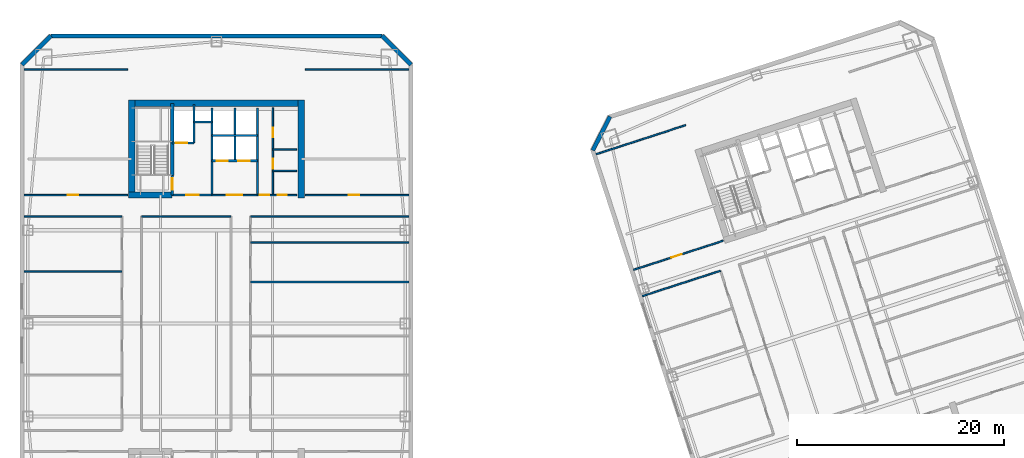
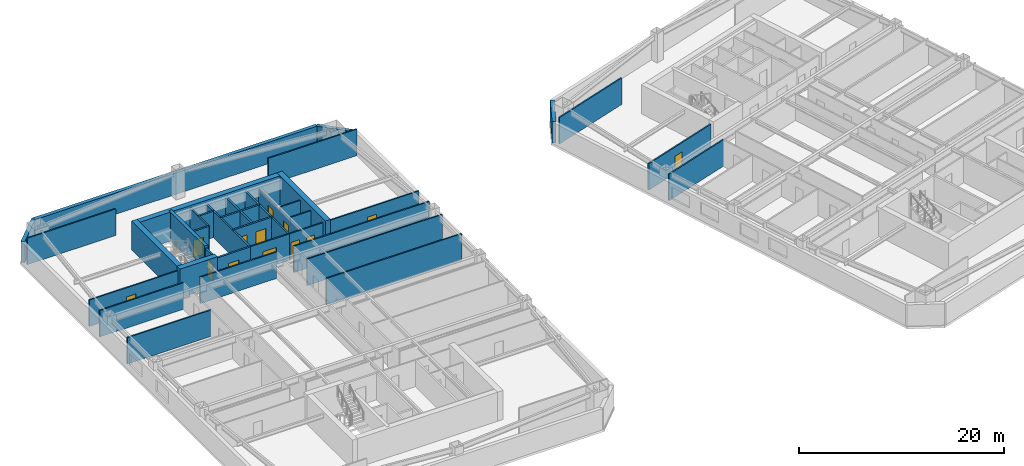
# One storey, part 5 of 11: 37 walls, 13 doors, 13 openings.
"""IFC4 building model written with IfcOpenShell, lengths in metres."""

from ifc_helpers import new_model, si_unit, direction, frame, frame_2d, origin, place, context, subcontext, project, spatial, rectangle, extrude, material, layer, layer_set, type_object, element, fill, save


model = new_model("IFC4")

# Units and contexts
model_context = context("Model", 3, precision=1e-05, world=origin(), true_north=direction((0.0, 1.0)))
body_context = subcontext(model_context, "Body", "Model", "MODEL_VIEW")
ifc_project = project(units=[si_unit("LENGTHUNIT", "METRE"), si_unit("AREAUNIT", "SQUARE_METRE"), si_unit("VOLUMEUNIT", "CUBIC_METRE"), si_unit("PLANEANGLEUNIT", "RADIAN"), si_unit("MASSUNIT", "GRAM", prefix="KILO")], contexts=[model_context])

# Site, building, storey
site_placement = place(None, origin())
site = spatial("IfcSite", under=ifc_project, at=site_placement, CompositionType="ELEMENT")
building_placement = place(site_placement, origin())
building = spatial("IfcBuilding", under=site, at=building_placement, Name="Qiaolan Cultural Towers", CompositionType="ELEMENT")
storey_placement = place(building_placement, frame((0.0, 0.0, 96.60009765625)))
storey = spatial("IfcBuildingStorey", under=building, at=storey_placement, Name="L24", CompositionType="ELEMENT", Elevation=96.60009765625)

# Walls
ifc_material_1 = material(Name="Concrete C50", Category="concrete")
ifc_layer_1 = layer(ifc_material_1, 0.35009765625)
ifc_layer_set_1 = layer_set([ifc_layer_1], Name="Concrete C50")
wall_type_1 = type_object("IfcWallType", Name="WL-CORE-350", PredefinedType="SHEAR", material=ifc_layer_set_1)
wall_1_placement = place(storey_placement, frame((25.719970703125, 48.300048828125, 0.0), z_axis=(0.0, 0.0, 1.0), x_axis=(0.0, 1.0, 0.0)))
element("IfcWall", 1, at=wall_1_placement, inside=storey, type_object=wall_type_1, Name="L24 T1-CN Stair Core Dividing Web", PredefinedType="SHEAR", context=body_context, shape_type="SweptSolid", body=[
    extrude(rectangle(XDim=6.97998046875, YDim=0.35009765625, at=frame_2d((3.489990234375, 0.0))), origin(), (0.0, 0.0, 1.0), 3.449951171875),
])
ifc_material_2 = material(Name="Concrete C55", Category="concrete")
ifc_layer_2 = layer(ifc_material_2, 0.60009765625)
ifc_layer_set_2 = layer_set([ifc_layer_2], Name="Concrete C55")
wall_type_2 = type_object("IfcWallType", Name="WL-CORE-600", PredefinedType="SHEAR", material=ifc_layer_set_2)
wall_2_placement = place(storey_placement, frame((21.5, 55.280029296875, 0.0), z_axis=(0.0, 0.0, 1.0), x_axis=(1.0, 0.0, 0.0)))
element("IfcWall", 2, at=wall_2_placement, inside=storey, type_object=wall_type_2, Name="L24 T1-CN Outer Core Shear Wall", PredefinedType="SHEAR", context=body_context, shape_type="SweptSolid", body=[
    extrude(rectangle(XDim=17.0, YDim=0.60009765625, at=frame_2d((8.5, 0.0))), origin(), (0.0, 0.0, 1.0), 3.449951171875),
])
for number, where, z_axis, x_axis, name in (
    (3, (21.800048828125, 46.10009765625, 0.0), (0.0, 0.0, 1.0), (0.0, 1.0, 0.0), "L24 T1-CN West Core Shear Wall"),
    (4, (38.199951171875, 46.10009765625, 0.0), (0.0, 0.0, 1.0), (0.0, 1.0, 0.0), "L24 T1-CN East Core Shear Wall"),
):
    element("IfcWall", number, at=place(storey_placement, frame(where, z_axis=z_axis, x_axis=x_axis)), inside=storey, type_object=wall_type_2, Name=name, PredefinedType="SHEAR", context=body_context, shape_type="SweptSolid", body=[
        extrude(rectangle(XDim=9.47998046875, YDim=0.60009765625, at=frame_2d((4.739990234375, 0.0))), origin(), (0.0, 0.0, 1.0), 3.449951171875),
    ])
wall_3_placement = place(storey_placement, frame((21.5, 46.39990234375, 0.0), z_axis=(0.0, 0.0, 1.0), x_axis=(1.0, 0.0, 0.0)))
element("IfcWall", 5, at=wall_3_placement, inside=storey, type_object=wall_type_2, Name="L24 T1-CN Stair Front Shear Wall", PredefinedType="SHEAR", context=body_context, shape_type="SweptSolid", body=[
    extrude(rectangle(XDim=4.219970703125, YDim=0.60009765625, at=frame_2d((2.10986328125, 0.0))), origin(), (0.0, 0.0, 1.0), 3.449951171875),
])
ifc_material_3 = material(Name="Precast Concrete C50 Honed Stone Pier", Category="masonry")
ifc_layer_3 = layer(ifc_material_3, 0.39990234375)
ifc_layer_set_3 = layer_set([ifc_layer_3], Name="Precast Concrete C50 Honed Stone Pier")
wall_type_3 = type_object("IfcWallType", Name="WL-EXT-PIER-400", PredefinedType="SOLIDWALL", material=ifc_layer_set_3)
wall_4_placement = place(storey_placement, frame((11.199951171875, 59.0, 0.0), z_axis=(0.0, 0.0, 1.0), x_axis=(0.707106781187, 0.707106781187, 0.0)))
element("IfcWall", 6, at=wall_4_placement, inside=storey, type_object=wall_type_3, Name="L24 West Tower Precast Pier Facade Wall F2", PredefinedType="SOLIDWALL", context=body_context, shape_type="SweptSolid", body=[
    extrude(rectangle(XDim=3.9599609375, YDim=0.39990234375, at=frame_2d((1.97998046875, 0.0))), origin(), (0.0, 0.0, 1.0), 2.5498046875),
])
wall_5_placement = place(storey_placement, frame((14.0, 61.800048828125, 0.0), z_axis=(0.0, 0.0, 1.0), x_axis=(1.0, 0.0, 0.0)))
element("IfcWall", 7, at=wall_5_placement, inside=storey, type_object=wall_type_3, Name="L24 West Tower Precast Pier Facade Wall F3", PredefinedType="SOLIDWALL", context=body_context, shape_type="SweptSolid", body=[
    extrude(rectangle(XDim=32.0, YDim=0.39990234375, at=frame_2d((16.0, 0.0))), origin(), (0.0, 0.0, 1.0), 2.5498046875),
])
wall_6_placement = place(storey_placement, frame((46.0, 61.800048828125, 0.0), z_axis=(0.0, 0.0, 1.0), x_axis=(0.707106781187, -0.707106781187, 0.0)))
element("IfcWall", 8, at=wall_6_placement, inside=storey, type_object=wall_type_3, Name="L24 West Tower Precast Pier Facade Wall F4", PredefinedType="SOLIDWALL", context=body_context, shape_type="SweptSolid", body=[
    extrude(rectangle(XDim=3.9599609375, YDim=0.39990234375, at=frame_2d((1.97998046875, 0.0))), origin(), (0.0, 0.0, 1.0), 2.5498046875),
])
wall_7_placement = place(storey_placement, frame((66.37744140625, 50.718505859375, 0.0), z_axis=(0.0, 0.0, 1.0), x_axis=(0.454026238093, 0.890988313685, 0.0)))
element("IfcWall", 9, at=wall_7_placement, inside=storey, type_object=wall_type_3, Name="L24 East Tower Precast Pier Facade Wall F2", PredefinedType="SOLIDWALL", context=body_context, shape_type="SweptSolid", body=[
    extrude(rectangle(XDim=3.677001953125, YDim=0.39990234375, at=frame_2d((1.83837890625, 0.0))), origin(), (0.0, 0.0, 1.0), 2.5498046875),
])

# Wall, opening, door
ifc_material_4 = material(Name="Concrete C35 Fire Wall", Category="concrete")
ifc_layer_4 = layer(ifc_material_4, 0.199951171875)
ifc_layer_set_4 = layer_set([ifc_layer_4], Name="Concrete C35 Fire Wall")
wall_type_4 = type_object("IfcWallType", Name="WL-FIRE-200", PredefinedType="PARTITIONING", material=ifc_layer_set_4)
wall_8_placement = place(storey_placement, frame((25.719970703125, 46.39990234375, 0.0), z_axis=(0.0, 0.0, 1.0), x_axis=(0.0, 1.0, 0.0)))
wall_8 = element("IfcWall", 10, at=wall_8_placement, inside=storey, type_object=wall_type_4, Name="L24 T1-CN Smokeproof Stair Entry Wall", PredefinedType="PARTITIONING", context=body_context, shape_type="SweptSolid", body=[
    extrude(rectangle(XDim=1.900146484375, YDim=0.199951171875, at=frame_2d((0.9501953125, 0.0))), origin(), (0.0, 0.0, 1.0), 3.15478515625),
])
opening_1_placement = place(wall_8_placement, frame((0.52001953125, 0.0, 0.0)))
opening_1 = element("IfcOpeningElement", 11, at=opening_1_placement, cuts=wall_8, Name="Opening FD-04", PredefinedType="OPENING", context=body_context, shape_type="SweptSolid", body=[
    extrude(rectangle(XDim=1.10009765625, YDim=2.050048828125, at=frame_2d((0.550048828125, 1.02490234375))), frame((0.0, 0.10986328125, 0.0), z_axis=(0.0, -1.0, 0.0), x_axis=(1.0, 0.0, 0.0)), (0.0, 0.0, 1.0), 0.219970703125),
])
ifc_material_5 = material(Name="Galvanized Steel Command Fire Door", Category="steel")
door_type_1 = type_object("IfcDoorType", Name="DR-FD90-1100", OperationType="NOTDEFINED", PredefinedType="DOOR", material=ifc_material_5)
door_1_placement = place(opening_1_placement, origin())
door_1 = element("IfcDoor", 12, at=door_1_placement, inside=storey, type_object=door_type_1, Name="L24 ST-W2 Smokeproof Stair Fire Door", OperationType="SINGLE_SWING_LEFT", OverallHeight=2.050048828125, OverallWidth=1.10009765625, PredefinedType="DOOR", context=body_context, shape_type="SweptSolid", body=[
    extrude(rectangle(XDim=1.10009765625, YDim=2.050048828125, at=frame_2d((0.550048828125, 1.02490234375))), frame((0.0, 0.02490234375, 0.0), z_axis=(0.0, -1.0, 0.0), x_axis=(1.0, 0.0, 0.0)), (0.0, 0.0, 1.0), 0.050048828125),
])
fill(opening_1, door_1)

# Wall
wall_9_placement = place(storey_placement, frame((29.550048828125, 46.39990234375, 0.0), z_axis=(0.0, 0.0, 1.0), x_axis=(0.0, 1.0, 0.0)))
element("IfcWall", 13, at=wall_9_placement, inside=storey, type_object=wall_type_4, Name="L24 T1-CN Firefighting Zone Wall", PredefinedType="PARTITIONING", context=body_context, shape_type="SweptSolid", body=[
    extrude(rectangle(XDim=8.43017578125, YDim=0.199951171875, at=frame_2d((4.215087890625, 0.0))), origin(), (0.0, 0.0, 1.0), 3.15478515625),
])

# Wall, opening, door
wall_10_placement = place(storey_placement, frame((25.719970703125, 46.39990234375, 0.0), z_axis=(0.0, 0.0, 1.0), x_axis=(1.0, 0.0, 0.0)))
wall_10 = element("IfcWall", 14, at=wall_10_placement, inside=storey, type_object=wall_type_4, Name="L24 T1-CN Firefighting Lobby Front Wall", PredefinedType="PARTITIONING", context=body_context, shape_type="SweptSolid", body=[
    extrude(rectangle(XDim=3.830078125, YDim=0.199951171875, at=frame_2d((1.9150390625, 0.0))), origin(), (0.0, 0.0, 1.0), 3.15478515625),
])
opening_2_placement = place(wall_10_placement, frame((1.35009765625, 0.0, 0.0)))
opening_2 = element("IfcOpeningElement", 15, at=opening_2_placement, cuts=wall_10, Name="Opening FD-03", PredefinedType="OPENING", context=body_context, shape_type="SweptSolid", body=[
    extrude(rectangle(XDim=1.199951171875, YDim=2.050048828125, at=frame_2d((0.60009765625, 1.02490234375))), frame((0.0, 0.10986328125, 0.0), z_axis=(0.0, -1.0, 0.0), x_axis=(1.0, 0.0, 0.0)), (0.0, 0.0, 1.0), 0.219970703125),
])
ifc_material_6 = material(Name="Galvanized Steel Smokeproof Lobby Fire Door", Category="steel")
door_type_2 = type_object("IfcDoorType", Name="DR-FD90-1200", OperationType="NOTDEFINED", PredefinedType="DOOR", material=ifc_material_6)
door_2_placement = place(opening_2_placement, origin())
door_2 = element("IfcDoor", 16, at=door_2_placement, inside=storey, type_object=door_type_2, Name="L24 FFL-W2 Firefighting Lobby Fire Door", OperationType="SINGLE_SWING_LEFT", OverallHeight=2.050048828125, OverallWidth=1.199951171875, PredefinedType="DOOR", context=body_context, shape_type="SweptSolid", body=[
    extrude(rectangle(XDim=1.199951171875, YDim=2.050048828125, at=frame_2d((0.60009765625, 1.02490234375))), frame((0.0, 0.02490234375, 0.0), z_axis=(0.0, -1.0, 0.0), x_axis=(1.0, 0.0, 0.0)), (0.0, 0.0, 1.0), 0.050048828125),
])
fill(opening_2, door_2)

wall_11_placement = place(storey_placement, frame((25.719970703125, 51.449951171875, 0.0), z_axis=(0.0, 0.0, 1.0), x_axis=(1.0, 0.0, 0.0)))
wall_11 = element("IfcWall", 17, at=wall_11_placement, inside=storey, type_object=wall_type_4, Name="L24 T1-CN Firefighting Shaft Front Wall", PredefinedType="PARTITIONING", context=body_context, shape_type="SweptSolid", body=[
    extrude(rectangle(XDim=2.10009765625, YDim=0.199951171875, at=frame_2d((1.050048828125, 0.0))), origin(), (0.0, 0.0, 1.0), 3.15478515625),
])
opening_3_placement = place(wall_11_placement, frame((0.35009765625, 0.0, 0.0)))
opening_3 = element("IfcOpeningElement", 18, at=opening_3_placement, cuts=wall_11, Name="Opening LD-01", PredefinedType="OPENING", context=body_context, shape_type="SweptSolid", body=[
    extrude(rectangle(XDim=1.10009765625, YDim=2.050048828125, at=frame_2d((0.550048828125, 1.02490234375))), frame((0.0, 0.10986328125, 0.0), z_axis=(0.0, -1.0, 0.0), x_axis=(1.0, 0.0, 0.0)), (0.0, 0.0, 1.0), 0.219970703125),
])
ifc_material_7 = material(Name="Brushed Stainless Steel S30408 Centre-Parting Lift Landing Door", Category="steel")
door_type_3 = type_object("IfcDoorType", Name="DR-LIFT-1100", OperationType="NOTDEFINED", PredefinedType="DOOR", material=ifc_material_7)
door_3_placement = place(opening_3_placement, origin())
door_3 = element("IfcDoor", 19, at=door_3_placement, inside=storey, type_object=door_type_3, Name="L24 FFL-W2 Firefighting Lift Landing Door", OperationType="DOUBLE_DOOR_SLIDING", OverallHeight=2.050048828125, OverallWidth=1.10009765625, PredefinedType="DOOR", context=body_context, shape_type="SweptSolid", body=[
    extrude(rectangle(XDim=1.10009765625, YDim=2.050048828125, at=frame_2d((0.550048828125, 1.02490234375))), frame((0.0, 0.02490234375, 0.0), z_axis=(0.0, -1.0, 0.0), x_axis=(1.0, 0.0, 0.0)), (0.0, 0.0, 1.0), 0.050048828125),
])
fill(opening_3, door_3)

# Walls
wall_12_placement = place(storey_placement, frame((27.820068359375, 51.449951171875, 0.0), z_axis=(0.0, 0.0, 1.0), x_axis=(0.0, 1.0, 0.0)))
element("IfcWall", 20, at=wall_12_placement, inside=storey, type_object=wall_type_4, Name="L24 T1-CN Firefighting Hoistway East Wall", PredefinedType="PARTITIONING", context=body_context, shape_type="SweptSolid", body=[
    extrude(rectangle(XDim=3.699951171875, YDim=0.199951171875, at=frame_2d((1.85009765625, 0.0))), origin(), (0.0, 0.0, 1.0), 3.15478515625),
])
wall_13_placement = place(storey_placement, frame((27.820068359375, 53.47998046875, 0.0), z_axis=(0.0, 0.0, 1.0), x_axis=(1.0, 0.0, 0.0)))
element("IfcWall", 21, at=wall_13_placement, inside=storey, type_object=wall_type_4, Name="L24 T1-CN Pressurization Shaft Front Wall", PredefinedType="PARTITIONING", context=body_context, shape_type="SweptSolid", body=[
    extrude(rectangle(XDim=1.72998046875, YDim=0.199951171875, at=frame_2d((0.864990234375, 0.0))), origin(), (0.0, 0.0, 1.0), 3.15478515625),
])
wall_14_placement = place(storey_placement, frame((33.949951171875, 46.39990234375, 0.0), z_axis=(0.0, 0.0, 1.0), x_axis=(0.0, 1.0, 0.0)))
element("IfcWall", 22, at=wall_14_placement, inside=storey, type_object=wall_type_4, Name="L24 T1-CN Lift Core East Wall", PredefinedType="PARTITIONING", context=body_context, shape_type="SweptSolid", body=[
    extrude(rectangle(XDim=8.43017578125, YDim=0.199951171875, at=frame_2d((4.215087890625, 0.0))), origin(), (0.0, 0.0, 1.0), 3.15478515625),
])

# Wall, openings, doors
wall_15_placement = place(storey_placement, frame((29.550048828125, 49.719970703125, 0.0), z_axis=(0.0, 0.0, 1.0), x_axis=(1.0, 0.0, 0.0)))
wall_15 = element("IfcWall", 23, at=wall_15_placement, inside=storey, type_object=wall_type_4, Name="L24 T1-CN Passenger Lift Shaft Front Wall", PredefinedType="PARTITIONING", context=body_context, shape_type="SweptSolid", body=[
    extrude(rectangle(XDim=4.39990234375, YDim=0.199951171875, at=frame_2d((2.199951171875, 0.0))), origin(), (0.0, 0.0, 1.0), 3.15478515625),
])
opening_4_placement = place(wall_15_placement, frame((0.449951171875, 0.0, 0.0)))
opening_4 = element("IfcOpeningElement", 24, at=opening_4_placement, cuts=wall_15, Name="Opening LD-01", PredefinedType="OPENING", context=body_context, shape_type="SweptSolid", body=[
    extrude(rectangle(XDim=1.10009765625, YDim=2.050048828125, at=frame_2d((0.550048828125, 1.02490234375))), frame((0.0, 0.10986328125, 0.0), z_axis=(0.0, -1.0, 0.0), x_axis=(1.0, 0.0, 0.0)), (0.0, 0.0, 1.0), 0.219970703125),
])
opening_5_placement = place(wall_15_placement, frame((2.550048828125, 0.0, 0.0)))
opening_5 = element("IfcOpeningElement", 25, at=opening_5_placement, cuts=wall_15, Name="Opening LD-01", PredefinedType="OPENING", context=body_context, shape_type="SweptSolid", body=[
    extrude(rectangle(XDim=1.10009765625, YDim=2.050048828125, at=frame_2d((0.550048828125, 1.02490234375))), frame((0.0, 0.10986328125, 0.0), z_axis=(0.0, -1.0, 0.0), x_axis=(1.0, 0.0, 0.0)), (0.0, 0.0, 1.0), 0.219970703125),
])
door_4_placement = place(opening_4_placement, origin())
door_4 = element("IfcDoor", 26, at=door_4_placement, inside=storey, type_object=door_type_3, Name="L24 Passenger Lift 1 Landing Door", OperationType="DOUBLE_DOOR_SLIDING", OverallHeight=2.050048828125, OverallWidth=1.10009765625, PredefinedType="DOOR", context=body_context, shape_type="SweptSolid", body=[
    extrude(rectangle(XDim=1.10009765625, YDim=2.050048828125, at=frame_2d((0.550048828125, 1.02490234375))), frame((0.0, 0.02490234375, 0.0), z_axis=(0.0, -1.0, 0.0), x_axis=(1.0, 0.0, 0.0)), (0.0, 0.0, 1.0), 0.050048828125),
])
fill(opening_4, door_4)
door_5_placement = place(opening_5_placement, origin())
door_5 = element("IfcDoor", 27, at=door_5_placement, inside=storey, type_object=door_type_3, Name="L24 Passenger Lift 2 Landing Door", OperationType="DOUBLE_DOOR_SLIDING", OverallHeight=2.050048828125, OverallWidth=1.10009765625, PredefinedType="DOOR", context=body_context, shape_type="SweptSolid", body=[
    extrude(rectangle(XDim=1.10009765625, YDim=2.050048828125, at=frame_2d((0.550048828125, 1.02490234375))), frame((0.0, 0.02490234375, 0.0), z_axis=(0.0, -1.0, 0.0), x_axis=(1.0, 0.0, 0.0)), (0.0, 0.0, 1.0), 0.050048828125),
])
fill(opening_5, door_5)

# Walls
wall_16_placement = place(storey_placement, frame((31.780029296875, 49.719970703125, 0.0), z_axis=(0.0, 0.0, 1.0), x_axis=(0.0, 1.0, 0.0)))
element("IfcWall", 28, at=wall_16_placement, inside=storey, type_object=wall_type_4, Name="L24 T1-CN Lift Shaft Divider Wall", PredefinedType="PARTITIONING", context=body_context, shape_type="SweptSolid", body=[
    extrude(rectangle(XDim=5.110107421875, YDim=0.199951171875, at=frame_2d((2.55517578125, 0.0))), origin(), (0.0, 0.0, 1.0), 3.15478515625),
])
wall_17_placement = place(storey_placement, frame((29.550048828125, 52.14990234375, 0.0), z_axis=(0.0, 0.0, 1.0), x_axis=(1.0, 0.0, 0.0)))
element("IfcWall", 29, at=wall_17_placement, inside=storey, type_object=wall_type_4, Name="L24 T1-CN Passenger Lift Shaft Back Wall", PredefinedType="PARTITIONING", context=body_context, shape_type="SweptSolid", body=[
    extrude(rectangle(XDim=4.39990234375, YDim=0.199951171875, at=frame_2d((2.199951171875, 0.0))), origin(), (0.0, 0.0, 1.0), 3.15478515625),
])

# Wall, opening, door
ifc_material_8 = material(Name="Autoclaved Aerated Concrete Block B06", Category="concrete")
ifc_layer_5 = layer(ifc_material_8, 0.14990234375)
ifc_layer_set_5 = layer_set([ifc_layer_5], Name="Autoclaved Aerated Concrete Block B06")
wall_type_5 = type_object("IfcWallType", Name="WL-PART-150", PredefinedType="PARTITIONING", material=ifc_layer_set_5)
wall_18_placement = place(storey_placement, frame((29.550048828125, 46.39990234375, 0.0), z_axis=(0.0, 0.0, 1.0), x_axis=(1.0, 0.0, 0.0)))
wall_18 = element("IfcWall", 30, at=wall_18_placement, inside=storey, type_object=wall_type_5, Name="L24 T1-CN Passenger Lift Lobby Front Wall", PredefinedType="PARTITIONING", context=body_context, shape_type="SweptSolid", body=[
    extrude(rectangle(XDim=4.39990234375, YDim=0.14990234375, at=frame_2d((2.199951171875, 0.0))), origin(), (0.0, 0.0, 1.0), 3.15478515625),
])
opening_6_placement = place(wall_18_placement, frame((1.449951171875, 0.0, 0.0)))
opening_6 = element("IfcOpeningElement", 31, at=opening_6_placement, cuts=wall_18, Name="Opening FD-05", PredefinedType="OPENING", context=body_context, shape_type="SweptSolid", body=[
    extrude(rectangle(XDim=1.5, YDim=2.050048828125, at=frame_2d((0.75, 1.02490234375))), frame((0.0, 0.0849609375, 0.0), z_axis=(0.0, -1.0, 0.0), x_axis=(1.0, 0.0, 0.0)), (0.0, 0.0, 1.0), 0.169921875),
])
ifc_material_9 = material(Name="Painted Steel Lift Lobby Fire Door", Category="steel")
door_type_4 = type_object("IfcDoorType", Name="DR-FD60-1500", OperationType="NOTDEFINED", PredefinedType="DOOR", material=ifc_material_9)
door_6_placement = place(opening_6_placement, origin())
door_6 = element("IfcDoor", 32, at=door_6_placement, inside=storey, type_object=door_type_4, Name="L24 Passenger Lift Lobby Entrance", OperationType="SINGLE_SWING_LEFT", OverallHeight=2.050048828125, OverallWidth=1.5, PredefinedType="DOOR", context=body_context, shape_type="SweptSolid", body=[
    extrude(rectangle(XDim=1.5, YDim=2.050048828125, at=frame_2d((0.75, 1.02490234375))), frame((0.0, 0.02490234375, 0.0), z_axis=(0.0, -1.0, 0.0), x_axis=(1.0, 0.0, 0.0)), (0.0, 0.0, 1.0), 0.050048828125),
])
fill(opening_6, door_6)

# Wall, openings, doors
wall_19_placement = place(storey_placement, frame((33.949951171875, 46.39990234375, 0.0), z_axis=(0.0, 0.0, 1.0), x_axis=(1.0, 0.0, 0.0)))
wall_19 = element("IfcWall", 33, at=wall_19_placement, inside=storey, type_object=wall_type_5, Name="L24 T1-CN Sanitary Core Front Wall", PredefinedType="PARTITIONING", context=body_context, shape_type="SweptSolid", body=[
    extrude(rectangle(XDim=3.800048828125, YDim=0.14990234375, at=frame_2d((1.89990234375, 0.0))), origin(), (0.0, 0.0, 1.0), 3.15478515625),
])
opening_7_placement = place(wall_19_placement, frame((0.219970703125, 0.0, 0.0)))
opening_7 = element("IfcOpeningElement", 34, at=opening_7_placement, cuts=wall_19, Name="Opening ID-05", PredefinedType="OPENING", context=body_context, shape_type="SweptSolid", body=[
    extrude(rectangle(XDim=0.949951171875, YDim=2.050048828125, at=frame_2d((0.47509765625, 1.02490234375))), frame((0.0, 0.0849609375, 0.0), z_axis=(0.0, -1.0, 0.0), x_axis=(1.0, 0.0, 0.0)), (0.0, 0.0, 1.0), 0.169921875),
])
opening_8_placement = place(wall_19_placement, frame((1.949951171875, 0.0, 0.0)))
opening_8 = element("IfcOpeningElement", 35, at=opening_8_placement, cuts=wall_19, Name="Opening ID-06", PredefinedType="OPENING", context=body_context, shape_type="SweptSolid", body=[
    extrude(rectangle(XDim=0.89990234375, YDim=2.050048828125, at=frame_2d((0.449951171875, 1.02490234375))), frame((0.0, 0.0849609375, 0.0), z_axis=(0.0, -1.0, 0.0), x_axis=(1.0, 0.0, 0.0)), (0.0, 0.0, 1.0), 0.169921875),
])
ifc_material_10 = material(Name="Fire-Rated Laminate Core Service Door", Category="timber")
door_type_5 = type_object("IfcDoorType", Name="DR-INT-900", OperationType="NOTDEFINED", PredefinedType="DOOR", material=ifc_material_10)
door_7_placement = place(opening_8_placement, origin())
door_7 = element("IfcDoor", 36, at=door_7_placement, inside=storey, type_object=door_type_5, Name="L24 Core Tea Pantry Door", OperationType="SINGLE_SWING_RIGHT", OverallHeight=2.050048828125, OverallWidth=0.89990234375, PredefinedType="DOOR", context=body_context, shape_type="SweptSolid", body=[
    extrude(rectangle(XDim=0.89990234375, YDim=2.050048828125, at=frame_2d((0.449951171875, 1.02490234375))), frame((0.0, 0.02490234375, 0.0), z_axis=(0.0, -1.0, 0.0), x_axis=(1.0, 0.0, 0.0)), (0.0, 0.0, 1.0), 0.050048828125),
])
fill(opening_8, door_7)
ifc_material_11 = material(Name="Fire-Rated Laminate Accessible Core Door", Category="timber")
door_type_6 = type_object("IfcDoorType", Name="DR-INT-950", OperationType="NOTDEFINED", PredefinedType="DOOR", material=ifc_material_11)
door_8_placement = place(opening_7_placement, origin())
door_8 = element("IfcDoor", 37, at=door_8_placement, inside=storey, type_object=door_type_6, Name="L24 Sanitary Passage Door", OperationType="SINGLE_SWING_LEFT", OverallHeight=2.050048828125, OverallWidth=0.949951171875, PredefinedType="DOOR", context=body_context, shape_type="SweptSolid", body=[
    extrude(rectangle(XDim=0.949951171875, YDim=2.050048828125, at=frame_2d((0.47509765625, 1.02490234375))), frame((0.0, 0.02490234375, 0.0), z_axis=(0.0, -1.0, 0.0), x_axis=(1.0, 0.0, 0.0)), (0.0, 0.0, 1.0), 0.050048828125),
])
fill(opening_7, door_8)

wall_20_placement = place(storey_placement, frame((35.449951171875, 46.39990234375, 0.0), z_axis=(0.0, 0.0, 1.0), x_axis=(0.0, 1.0, 0.0)))
wall_20 = element("IfcWall", 38, at=wall_20_placement, inside=storey, type_object=wall_type_5, Name="L24 T1-CN Sanitary Corridor Wall", PredefinedType="PARTITIONING", context=body_context, shape_type="SweptSolid", body=[
    extrude(rectangle(XDim=8.43017578125, YDim=0.14990234375, at=frame_2d((4.215087890625, 0.0))), origin(), (0.0, 0.0, 1.0), 2.764892578125),
])
opening_9_placement = place(wall_20_placement, frame((2.550048828125, 0.0, 0.0)))
opening_9 = element("IfcOpeningElement", 39, at=opening_9_placement, cuts=wall_20, Name="Opening ID-05", PredefinedType="OPENING", context=body_context, shape_type="SweptSolid", body=[
    extrude(rectangle(XDim=0.949951171875, YDim=2.050048828125, at=frame_2d((0.47509765625, 1.02490234375))), frame((0.0, 0.0849609375, 0.0), z_axis=(0.0, -1.0, 0.0), x_axis=(1.0, 0.0, 0.0)), (0.0, 0.0, 1.0), 0.169921875),
])
opening_10_placement = place(wall_20_placement, frame((5.60009765625, 0.0, 0.0)))
opening_10 = element("IfcOpeningElement", 40, at=opening_10_placement, cuts=wall_20, Name="Opening ID-06", PredefinedType="OPENING", context=body_context, shape_type="SweptSolid", body=[
    extrude(rectangle(XDim=0.89990234375, YDim=2.050048828125, at=frame_2d((0.449951171875, 1.02490234375))), frame((0.0, 0.0849609375, 0.0), z_axis=(0.0, -1.0, 0.0), x_axis=(1.0, 0.0, 0.0)), (0.0, 0.0, 1.0), 0.169921875),
])
door_9_placement = place(opening_10_placement, origin())
door_9 = element("IfcDoor", 41, at=door_9_placement, inside=storey, type_object=door_type_5, Name="L24 Staff Restroom Door", OperationType="SINGLE_SWING_RIGHT", OverallHeight=2.050048828125, OverallWidth=0.89990234375, PredefinedType="DOOR", context=body_context, shape_type="SweptSolid", body=[
    extrude(rectangle(XDim=0.89990234375, YDim=2.050048828125, at=frame_2d((0.449951171875, 1.02490234375))), frame((0.0, 0.02490234375, 0.0), z_axis=(0.0, -1.0, 0.0), x_axis=(1.0, 0.0, 0.0)), (0.0, 0.0, 1.0), 0.050048828125),
])
fill(opening_10, door_9)
door_10_placement = place(opening_9_placement, origin())
door_10 = element("IfcDoor", 42, at=door_10_placement, inside=storey, type_object=door_type_6, Name="L24 Accessible Washroom Door", OperationType="SINGLE_SWING_LEFT", OverallHeight=2.050048828125, OverallWidth=0.949951171875, PredefinedType="DOOR", context=body_context, shape_type="SweptSolid", body=[
    extrude(rectangle(XDim=0.949951171875, YDim=2.050048828125, at=frame_2d((0.47509765625, 1.02490234375))), frame((0.0, 0.02490234375, 0.0), z_axis=(0.0, -1.0, 0.0), x_axis=(1.0, 0.0, 0.0)), (0.0, 0.0, 1.0), 0.050048828125),
])
fill(opening_9, door_10)

# Walls
for number, where, z_axis, x_axis, name in (
    (43, (35.449951171875, 50.800048828125, 0.0), (0.0, 0.0, 1.0), (1.0, 0.0, 0.0), "L24 T1-CN Restroom Split Wall"),
    (44, (35.449951171875, 48.75, 0.0), (0.0, 0.0, 1.0), (1.0, 0.0, 0.0), "L24 T1-CN Core Pantry Wall"),
):
    element("IfcWall", number, at=place(storey_placement, frame(where, z_axis=z_axis, x_axis=x_axis)), inside=storey, type_object=wall_type_5, Name=name, PredefinedType="PARTITIONING", context=body_context, shape_type="SweptSolid", body=[
        extrude(rectangle(XDim=2.300048828125, YDim=0.14990234375, at=frame_2d((1.14990234375, 0.0))), origin(), (0.0, 0.0, 1.0), 3.15478515625),
    ])
wall_21_placement = place(storey_placement, frame((11.39990234375, 58.550048828125, 0.0), z_axis=(0.0, 0.0, 1.0), x_axis=(1.0, 0.0, 0.0)))
element("IfcWall", 45, at=wall_21_placement, inside=storey, type_object=wall_type_5, Name="L24 T1 Flank Wall FLK-NW", PredefinedType="PARTITIONING", context=body_context, shape_type="SweptSolid", body=[
    extrude(rectangle(XDim=10.0, YDim=0.14990234375, at=frame_2d((5.0, 0.0))), origin(), (0.0, 0.0, 1.0), 3.15478515625),
])

# Wall, opening, door
wall_22_placement = place(storey_placement, frame((11.39990234375, 46.39990234375, 0.0), z_axis=(0.0, 0.0, 1.0), x_axis=(1.0, 0.0, 0.0)))
wall_22 = element("IfcWall", 46, at=wall_22_placement, inside=storey, type_object=wall_type_5, Name="L24 T1 Flank Front FLK-NW", PredefinedType="PARTITIONING", context=body_context, shape_type="SweptSolid", body=[
    extrude(rectangle(XDim=10.0, YDim=0.14990234375, at=frame_2d((5.0, 0.0))), origin(), (0.0, 0.0, 1.0), 3.15478515625),
])
opening_11_placement = place(wall_22_placement, frame((4.199951171875, 0.0, 0.0)))
opening_11 = element("IfcOpeningElement", 47, at=opening_11_placement, cuts=wall_22, Name="Opening ID-07", PredefinedType="OPENING", context=body_context, shape_type="SweptSolid", body=[
    extrude(rectangle(XDim=1.050048828125, YDim=2.050048828125, at=frame_2d((0.52490234375, 1.02490234375))), frame((0.0, 0.0849609375, 0.0), z_axis=(0.0, -1.0, 0.0), x_axis=(1.0, 0.0, 0.0)), (0.0, 0.0, 1.0), 0.169921875),
])
ifc_material_12 = material(Name="Oak Veneer Consultation Door", Category="timber")
door_type_7 = type_object("IfcDoorType", Name="DR-INT-1050", OperationType="NOTDEFINED", PredefinedType="DOOR", material=ifc_material_12)
door_11_placement = place(opening_11_placement, origin())
door_11 = element("IfcDoor", 48, at=door_11_placement, inside=storey, type_object=door_type_7, Name="L24 T1 Corner Studio Door", OperationType="SINGLE_SWING_LEFT", OverallHeight=2.050048828125, OverallWidth=1.050048828125, PredefinedType="DOOR", context=body_context, shape_type="SweptSolid", body=[
    extrude(rectangle(XDim=1.050048828125, YDim=2.050048828125, at=frame_2d((0.52490234375, 1.02490234375))), frame((0.0, 0.02490234375, 0.0), z_axis=(0.0, -1.0, 0.0), x_axis=(1.0, 0.0, 0.0)), (0.0, 0.0, 1.0), 0.050048828125),
])
fill(opening_11, door_11)

# Wall
wall_23_placement = place(storey_placement, frame((38.60009765625, 58.550048828125, 0.0), z_axis=(0.0, 0.0, 1.0), x_axis=(1.0, 0.0, 0.0)))
element("IfcWall", 49, at=wall_23_placement, inside=storey, type_object=wall_type_5, Name="L24 T1 Flank Wall FLK-NE", PredefinedType="PARTITIONING", context=body_context, shape_type="SweptSolid", body=[
    extrude(rectangle(XDim=10.0, YDim=0.14990234375, at=frame_2d((5.0, 0.0))), origin(), (0.0, 0.0, 1.0), 3.15478515625),
])

# Wall, opening, door
wall_24_placement = place(storey_placement, frame((38.60009765625, 46.39990234375, 0.0), z_axis=(0.0, 0.0, 1.0), x_axis=(1.0, 0.0, 0.0)))
wall_24 = element("IfcWall", 50, at=wall_24_placement, inside=storey, type_object=wall_type_5, Name="L24 T1 Flank Front FLK-NE", PredefinedType="PARTITIONING", context=body_context, shape_type="SweptSolid", body=[
    extrude(rectangle(XDim=10.0, YDim=0.14990234375, at=frame_2d((5.0, 0.0))), origin(), (0.0, 0.0, 1.0), 3.15478515625),
])
opening_12_placement = place(wall_24_placement, frame((4.199951171875, 0.0, 0.0)))
opening_12 = element("IfcOpeningElement", 51, at=opening_12_placement, cuts=wall_24, Name="Opening ID-04", PredefinedType="OPENING", context=body_context, shape_type="SweptSolid", body=[
    extrude(rectangle(XDim=1.0, YDim=2.050048828125, at=frame_2d((0.5, 1.02490234375))), frame((0.0, 0.0849609375, 0.0), z_axis=(0.0, -1.0, 0.0), x_axis=(1.0, 0.0, 0.0)), (0.0, 0.0, 1.0), 0.169921875),
])
ifc_material_13 = material(Name="Oak Veneer Acoustic Office Door", Category="timber")
door_type_8 = type_object("IfcDoorType", Name="DR-INT-1000", OperationType="NOTDEFINED", PredefinedType="DOOR", material=ifc_material_13)
door_12_placement = place(opening_12_placement, origin())
door_12 = element("IfcDoor", 52, at=door_12_placement, inside=storey, type_object=door_type_8, Name="L24 T1 Corner Studio Door", OperationType="SINGLE_SWING_LEFT", OverallHeight=2.050048828125, OverallWidth=1.0, PredefinedType="DOOR", context=body_context, shape_type="SweptSolid", body=[
    extrude(rectangle(XDim=1.0, YDim=2.050048828125, at=frame_2d((0.5, 1.02490234375))), frame((0.0, 0.02490234375, 0.0), z_axis=(0.0, -1.0, 0.0), x_axis=(1.0, 0.0, 0.0)), (0.0, 0.0, 1.0), 0.050048828125),
])
fill(opening_12, door_12)

# Walls
wall_25_placement = place(storey_placement, frame((11.39990234375, 44.35009765625, 0.0), z_axis=(0.0, 0.0, 1.0), x_axis=(1.0, 0.0, 0.0)))
element("IfcWall", 53, at=wall_25_placement, inside=storey, type_object=wall_type_5, Name="L24 T1 Interior Wall", PredefinedType="PARTITIONING", context=body_context, shape_type="SweptSolid", body=[
    extrude(rectangle(XDim=9.4501953125, YDim=0.14990234375, at=frame_2d((4.72509765625, 0.0))), origin(), (0.0, 0.0, 1.0), 3.15478515625),
])
wall_26_placement = place(storey_placement, frame((22.75, 44.35009765625, 0.0), z_axis=(0.0, 0.0, 1.0), x_axis=(1.0, 0.0, 0.0)))
element("IfcWall", 54, at=wall_26_placement, inside=storey, type_object=wall_type_5, Name="L24 T1 Interior Wall", PredefinedType="PARTITIONING", context=body_context, shape_type="SweptSolid", body=[
    extrude(rectangle(XDim=8.64990234375, YDim=0.14990234375, at=frame_2d((4.324951171875, 0.0))), origin(), (0.0, 0.0, 1.0), 3.15478515625),
])
wall_27_placement = place(storey_placement, frame((33.300048828125, 44.35009765625, 0.0), z_axis=(0.0, 0.0, 1.0), x_axis=(1.0, 0.0, 0.0)))
element("IfcWall", 55, at=wall_27_placement, inside=storey, type_object=wall_type_5, Name="L24 T1 Interior Wall", PredefinedType="PARTITIONING", context=body_context, shape_type="SweptSolid", body=[
    extrude(rectangle(XDim=15.300048828125, YDim=0.14990234375, at=frame_2d((7.64990234375, 0.0))), origin(), (0.0, 0.0, 1.0), 3.15478515625),
])
wall_28_placement = place(storey_placement, frame((11.39990234375, 39.0, 0.0), z_axis=(0.0, 0.0, 1.0), x_axis=(1.0, 0.0, 0.0)))
element("IfcWall", 56, at=wall_28_placement, inside=storey, type_object=wall_type_5, Name="L24 T1 Interior Wall", PredefinedType="PARTITIONING", context=body_context, shape_type="SweptSolid", body=[
    extrude(rectangle(XDim=9.4501953125, YDim=0.14990234375, at=frame_2d((4.72509765625, 0.0))), origin(), (0.0, 0.0, 1.0), 3.15478515625),
])
for number, where, z_axis, x_axis, name in (
    (57, (33.300048828125, 38.0, 0.0), (0.0, 0.0, 1.0), (1.0, 0.0, 0.0), "L24 T1 Interior Wall"),
    (58, (33.300048828125, 41.800048828125, 0.0), (0.0, 0.0, 1.0), (1.0, 0.0, 0.0), "L24 T1 Interior Wall"),
):
    element("IfcWall", number, at=place(storey_placement, frame(where, z_axis=z_axis, x_axis=x_axis)), inside=storey, type_object=wall_type_5, Name=name, PredefinedType="PARTITIONING", context=body_context, shape_type="SweptSolid", body=[
        extrude(rectangle(XDim=15.300048828125, YDim=0.14990234375, at=frame_2d((7.64990234375, 0.0))), origin(), (0.0, 0.0, 1.0), 3.15478515625),
    ])
wall_29_placement = place(storey_placement, frame((66.706787109375, 50.352294921875, 0.0), z_axis=(0.0, 0.0, 1.0), x_axis=(0.951057133767, 0.309015093986, 0.0)))
element("IfcWall", 59, at=wall_29_placement, inside=storey, type_object=wall_type_5, Name="L24 T2 Flank Wall FLK-NW", PredefinedType="PARTITIONING", context=body_context, shape_type="SweptSolid", body=[
    extrude(rectangle(XDim=9.099853515625, YDim=0.14990234375, at=frame_2d((4.5498046875, 0.0))), origin(), (0.0, 0.0, 1.0), 3.15478515625),
])

# Wall, opening, door
wall_30_placement = place(storey_placement, frame((70.337646484375, 39.177490234375, 0.0), z_axis=(0.0, 0.0, 1.0), x_axis=(0.951059695568, 0.309007209409, 0.0)))
wall_30 = element("IfcWall", 60, at=wall_30_placement, inside=storey, type_object=wall_type_5, Name="L24 T2 Flank Front FLK-NW", PredefinedType="PARTITIONING", context=body_context, shape_type="SweptSolid", body=[
    extrude(rectangle(XDim=9.10009765625, YDim=0.14990234375, at=frame_2d((4.550048828125, 0.0))), origin(), (0.0, 0.0, 1.0), 3.15478515625),
])
opening_13_placement = place(wall_30_placement, frame((3.822021484375, 0.0, 0.0)))
opening_13 = element("IfcOpeningElement", 61, at=opening_13_placement, cuts=wall_30, Name="Opening ID-07", PredefinedType="OPENING", context=body_context, shape_type="SweptSolid", body=[
    extrude(rectangle(XDim=1.050048828125, YDim=2.050048828125, at=frame_2d((0.52490234375, 1.02490234375))), frame((0.0, 0.0849609375, 0.0), z_axis=(0.0, -1.0, 0.0), x_axis=(1.0, 0.0, 0.0)), (0.0, 0.0, 1.0), 0.169921875),
])
door_13_placement = place(opening_13_placement, origin())
door_13 = element("IfcDoor", 62, at=door_13_placement, inside=storey, type_object=door_type_7, Name="L24 T2 Corner Studio Door", OperationType="SINGLE_SWING_LEFT", OverallHeight=2.050048828125, OverallWidth=1.050048828125, PredefinedType="DOOR", context=body_context, shape_type="SweptSolid", body=[
    extrude(rectangle(XDim=1.050048828125, YDim=2.050048828125, at=frame_2d((0.52490234375, 1.02490234375))), frame((0.0, 0.02490234375, 0.0), z_axis=(0.0, -1.0, 0.0), x_axis=(1.0, 0.0, 0.0)), (0.0, 0.0, 1.0), 0.050048828125),
])
fill(opening_13, door_13)

# Wall
wall_31_placement = place(storey_placement, frame((71.166015625, 36.628662109375, 0.0), z_axis=(0.0, 0.0, 1.0), x_axis=(0.951060470027, 0.309004825775, 0.0)))
element("IfcWall", 63, at=wall_31_placement, inside=storey, type_object=wall_type_5, Name="L24 T2 Interior Wall", PredefinedType="PARTITIONING", context=body_context, shape_type="SweptSolid", body=[
    extrude(rectangle(XDim=7.949951171875, YDim=0.14990234375, at=frame_2d((3.97509765625, 0.0))), origin(), (0.0, 0.0, 1.0), 3.15478515625),
])

save(model, "model.ifc")
